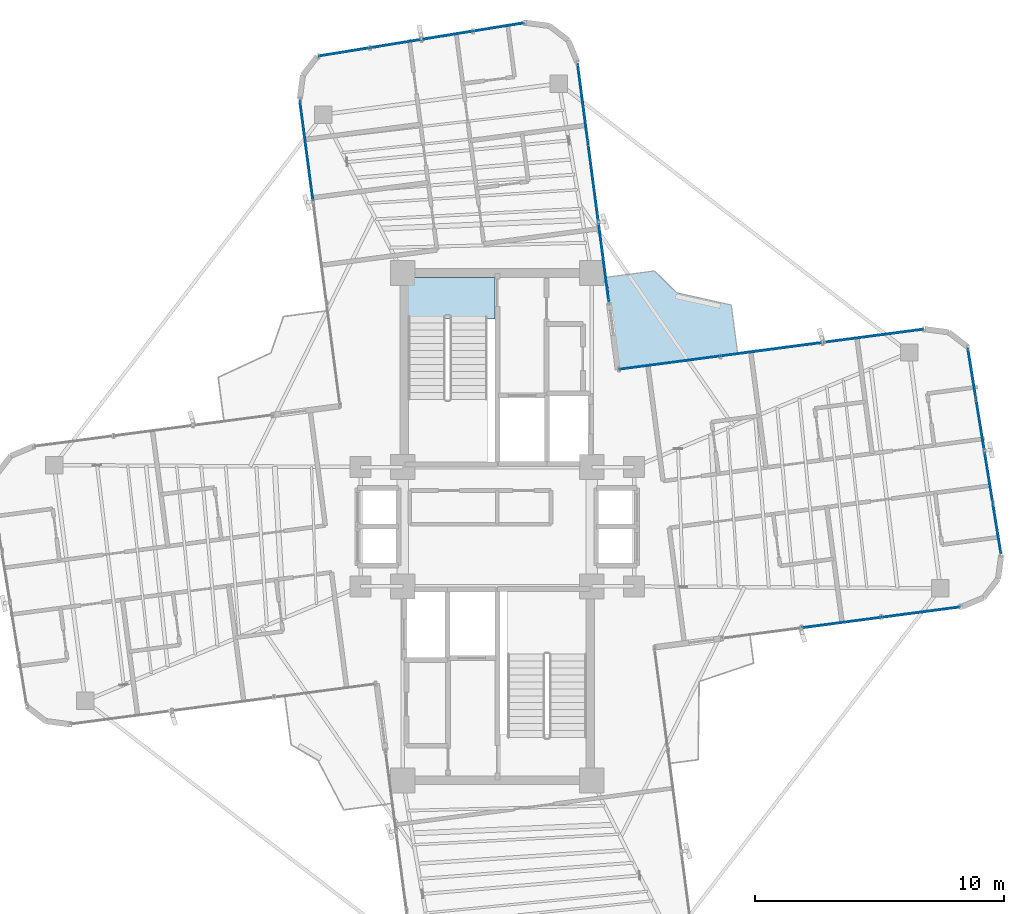
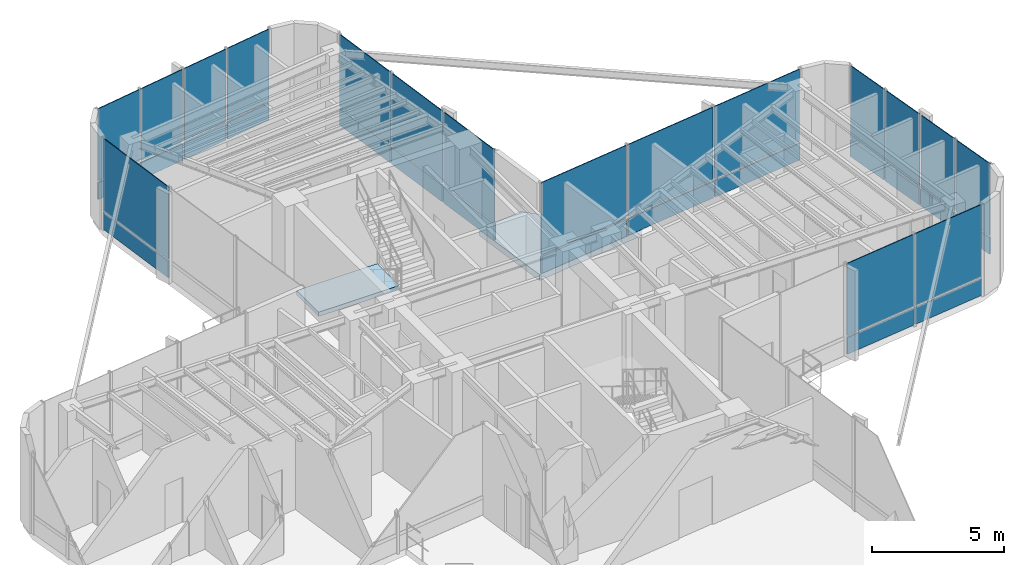
# One storey, part 14 of 20: 34 plates, 2 slabs, 6 elements without a shape of their own.
"""IFC4 building model written with IfcOpenShell, lengths in metres."""

from ifc_helpers import new_model, si_unit, direction, frame, origin, origin_2d, place, context, subcontext, project, spatial, polyline, rectangle, outline, extrude, source, transform, mapped, material, layer, layer_set, type_object, element, aggregate, save


model = new_model("IFC4")

# Units and contexts
model_context = context("Model", 3, precision=1e-05, world=origin(), true_north=direction((0.0, 1.0)))
body_context = subcontext(model_context, "Body", "Model", "MODEL_VIEW")
ifc_project = project(units=[si_unit("LENGTHUNIT", "METRE"), si_unit("AREAUNIT", "SQUARE_METRE"), si_unit("VOLUMEUNIT", "CUBIC_METRE"), si_unit("PLANEANGLEUNIT", "RADIAN"), si_unit("MASSUNIT", "GRAM", prefix="KILO")], contexts=[model_context])

# Site, building, storey
site_placement = place(None, origin())
site = spatial("IfcSite", under=ifc_project, at=site_placement, CompositionType="ELEMENT")
building_placement = place(site_placement, origin())
building = spatial("IfcBuilding", under=site, at=building_placement, Name="Sahyath Konkavel Grand Hotel", CompositionType="ELEMENT")
storey_placement = place(building_placement, frame((0.0, 0.0, 229.949951171875)))
storey = spatial("IfcBuildingStorey", under=building, at=storey_placement, Name="L64", CompositionType="ELEMENT", Elevation=229.949951171875)

# Slabs
ifc_material_1 = material(Name="Concrete C40/50", Category="concrete")
ifc_layer_1 = layer(ifc_material_1, 0.280029296875)
ifc_layer_set_1 = layer_set([ifc_layer_1], Name="Concrete C40/50")
slab_type_1 = type_object("IfcSlabType", Name="SLB-SKYGARDEN-280", PredefinedType="ROOF", material=ifc_layer_set_1)
slab_1_placement = place(storey_placement, frame((0.0, 0.0, -0.280029296875)))
element("IfcSlab", 1, at=slab_1_placement, inside=storey, type_object=slab_type_1, Name="L64 Planted Sky Garden Terrace NE", PredefinedType="ROOF", context=body_context, shape_type="SweptSolid", body=[
    extrude(outline(polyline([(4.849609375, 6.320068359375), (9.66796875, 6.954345703125), (9.409423828125, 8.91748046875), (7.217041015625, 9.405517578125), (6.324462890625, 10.28662109375), (4.361328125, 10.028076171875), (4.849609375, 6.320068359375)])), origin(), (0.0, 0.0, 1.0), 0.280029296875),
])
ifc_layer_2 = layer(ifc_material_1, 0.199951171875)
ifc_layer_set_2 = layer_set([ifc_layer_2], Name="Concrete C40/50")
slab_type_2 = type_object("IfcSlabType", Name="SLB-STAIR-LND", PredefinedType="LANDING", material=ifc_layer_set_2)
slab_2_placement = place(storey_placement, frame((0.0, 0.0, -0.199951171875)))
element("IfcSlab", 2, at=slab_2_placement, inside=storey, type_object=slab_type_2, Name="L64 Stair ST-1 Floor Landing Slab", PredefinedType="LANDING", context=body_context, shape_type="SweptSolid", body=[
    extrude(outline(polyline([(-3.6201171875, 8.35009765625), (-0.10009765625, 8.35009765625), (-0.10009765625, 10.02001953125), (-3.6201171875, 10.02001953125), (-3.6201171875, 8.35009765625)])), origin(), (0.0, 0.0, 1.0), 0.199951171875),
])

# Curtain wall, plates
ifc_material_2 = material(Name="Anodised Bronze Aluminium & Low-E Glazing", Category="aluminium")
curtain_wall_type = type_object("IfcCurtainWallType", Name="CW-SKYLOBBY", PredefinedType="NOTDEFINED", material=ifc_material_2)
curtain_wall_1_placement = place(storey_placement, origin())
curtain_wall_1 = element("IfcCurtainWall", 3, at=curtain_wall_1_placement, inside=storey, type_object=curtain_wall_type, Name="L64 Unitised Curtain Wall F0", PredefinedType="NOTDEFINED")
ifc_material_3 = material(Name="Warm Buff Sandstone Cladding", Category="masonry")
ifc_layer_3 = layer(ifc_material_3, 0.074951171875)
ifc_layer_set_3 = layer_set([ifc_layer_3], Name="Warm Buff Sandstone Cladding")
plate_type_1 = type_object("IfcPlateType", Name="PNL-SPANDREL-STONE", PredefinedType="SHEET", material=ifc_layer_set_3)
shared_shape_1 = source(origin(), body_context, "Body", "SweptSolid", [
    extrude(rectangle(XDim=3.14794921875, YDim=0.074951171875, at=origin_2d()), origin(), (0.0, 0.0, 1.0), 0.77001953125),
])
plate_1_placement = place(storey_placement, frame((13.837158203125, -3.85986328125, 0.0400390625), z_axis=(0.0, 0.0, 1.0), x_axis=(0.991444861374, 0.13052619222, 0.0)))
plate_1 = element("IfcPlate", 4, at=plate_1_placement, type_object=plate_type_1, Name="L64 Sandstone Relief Spandrel Panel F0-1", PredefinedType="SHEET", context=body_context, shape_type="MappedRepresentation", body=[
    mapped(shared_shape_1, transform((0.0, 0.0, 0.0), scale=1.0)),
])
plate_2_placement = place(storey_placement, frame((17.03759765625, -3.438720703125, 0.0400390625), z_axis=(0.0, 0.0, 1.0), x_axis=(0.991444861374, 0.13052619222, 0.0)))
plate_2 = element("IfcPlate", 5, at=plate_2_placement, type_object=plate_type_1, Name="L64 Sandstone Relief Spandrel Panel F0-2", PredefinedType="SHEET", context=body_context, shape_type="MappedRepresentation", body=[
    mapped(shared_shape_1, transform((0.0, 0.0, 0.0), scale=1.0)),
])

curtain_wall_2_placement = place(storey_placement, origin())
curtain_wall_2 = element("IfcCurtainWall", 6, at=curtain_wall_2_placement, inside=storey, type_object=curtain_wall_type, Name="L64 Unitised Curtain Wall F8", PredefinedType="NOTDEFINED")
plate_3_placement = place(storey_placement, frame((4.28125, 10.63671875, 0.0400390625), z_axis=(0.0, 0.0, 1.0), x_axis=(-0.13052619222, 0.991444861374, 0.0)))
plate_3 = element("IfcPlate", 7, at=plate_3_placement, type_object=plate_type_1, Name="L64 Sandstone Relief Spandrel Panel F8-0", PredefinedType="SHEET", context=body_context, shape_type="MappedRepresentation", body=[
    mapped(shared_shape_1, transform((0.0, 0.0, 0.0), scale=1.0)),
])
plate_4_placement = place(storey_placement, frame((3.85986328125, 13.837158203125, 0.0400390625), z_axis=(0.0, 0.0, 1.0), x_axis=(-0.13052619222, 0.991444861374, 0.0)))
plate_4 = element("IfcPlate", 8, at=plate_4_placement, type_object=plate_type_1, Name="L64 Sandstone Relief Spandrel Panel F8-1", PredefinedType="SHEET", context=body_context, shape_type="MappedRepresentation", body=[
    mapped(shared_shape_1, transform((0.0, 0.0, 0.0), scale=1.0)),
])
plate_5_placement = place(storey_placement, frame((3.438720703125, 17.03759765625, 0.0400390625), z_axis=(0.0, 0.0, 1.0), x_axis=(-0.13052619222, 0.991444861374, 0.0)))
plate_5 = element("IfcPlate", 9, at=plate_5_placement, type_object=plate_type_1, Name="L64 Sandstone Relief Spandrel Panel F8-2", PredefinedType="SHEET", context=body_context, shape_type="MappedRepresentation", body=[
    mapped(shared_shape_1, transform((0.0, 0.0, 0.0), scale=1.0)),
])

# Plate
ifc_material_4 = material(Name="Low-E Solar Control Double Glazing", Category="glass")
ifc_layer_4 = layer(ifc_material_4, 0.035888671875)
ifc_layer_set_4 = layer_set([ifc_layer_4], Name="Low-E Solar Control Double Glazing")
plate_type_2 = type_object("IfcPlateType", Name="PNL-VISION-LOWE", PredefinedType="CURTAIN_PANEL", material=ifc_layer_set_4)
shared_shape_2 = source(origin(), body_context, "Body", "SweptSolid", [
    extrude(rectangle(XDim=3.14794921875, YDim=0.035888671875, at=origin_2d()), origin(), (0.0, 0.0, 1.0), 3.330078125),
])
plate_6_placement = place(storey_placement, frame((13.837158203125, -3.85986328125, 0.889892578125), z_axis=(0.0, 0.0, 1.0), x_axis=(0.991444861374, 0.13052619222, 0.0)))
plate_6 = element("IfcPlate", 10, at=plate_6_placement, type_object=plate_type_2, Name="L64 Low-E Vision Glazing Panel F0-1", PredefinedType="CURTAIN_PANEL", context=body_context, shape_type="MappedRepresentation", body=[
    mapped(shared_shape_2, transform((0.0, 0.0, 0.0), scale=1.0)),
])

plate_7_placement = place(storey_placement, frame((17.03759765625, -3.438720703125, 0.889892578125), z_axis=(0.0, 0.0, 1.0), x_axis=(0.991444861374, 0.13052619222, 0.0)))
plate_7 = element("IfcPlate", 11, at=plate_7_placement, type_object=plate_type_2, Name="L64 Low-E Vision Glazing Panel F0-2", PredefinedType="CURTAIN_PANEL", context=body_context, shape_type="MappedRepresentation", body=[
    mapped(shared_shape_2, transform((0.0, 0.0, 0.0), scale=1.0)),
])

aggregate(curtain_wall_1, [plate_1, plate_6, plate_2, plate_7])

plate_8_placement = place(storey_placement, frame((4.28125, 10.63671875, 0.889892578125), z_axis=(0.0, 0.0, 1.0), x_axis=(-0.13052619222, 0.991444861374, 0.0)))
plate_8 = element("IfcPlate", 12, at=plate_8_placement, type_object=plate_type_2, Name="L64 Low-E Vision Glazing Panel F8-0", PredefinedType="CURTAIN_PANEL", context=body_context, shape_type="MappedRepresentation", body=[
    mapped(shared_shape_2, transform((0.0, 0.0, 0.0), scale=1.0)),
])

plate_9_placement = place(storey_placement, frame((3.85986328125, 13.837158203125, 0.889892578125), z_axis=(0.0, 0.0, 1.0), x_axis=(-0.13052619222, 0.991444861374, 0.0)))
plate_9 = element("IfcPlate", 13, at=plate_9_placement, type_object=plate_type_2, Name="L64 Low-E Vision Glazing Panel F8-1", PredefinedType="CURTAIN_PANEL", context=body_context, shape_type="MappedRepresentation", body=[
    mapped(shared_shape_2, transform((0.0, 0.0, 0.0), scale=1.0)),
])

plate_10_placement = place(storey_placement, frame((3.438720703125, 17.03759765625, 0.889892578125), z_axis=(0.0, 0.0, 1.0), x_axis=(-0.13052619222, 0.991444861374, 0.0)))
plate_10 = element("IfcPlate", 14, at=plate_10_placement, type_object=plate_type_2, Name="L64 Low-E Vision Glazing Panel F8-2", PredefinedType="CURTAIN_PANEL", context=body_context, shape_type="MappedRepresentation", body=[
    mapped(shared_shape_2, transform((0.0, 0.0, 0.0), scale=1.0)),
])

aggregate(curtain_wall_2, [plate_3, plate_8, plate_4, plate_9, plate_5, plate_10])

# Curtain wall, plates
curtain_wall_3_placement = place(storey_placement, origin())
curtain_wall_3 = element("IfcCurtainWall", 15, at=curtain_wall_3_placement, inside=storey, type_object=curtain_wall_type, Name="L64 Unitised Curtain Wall F4", PredefinedType="NOTDEFINED")
shared_shape_3 = source(origin(), body_context, "Body", "SweptSolid", [
    extrude(rectangle(XDim=2.023681640625, YDim=0.074951171875, at=origin_2d()), origin(), (0.0, 0.0, 1.0), 0.77001953125),
])
plate_11_placement = place(storey_placement, frame((20.095947265625, -0.069091796875, 0.0400390625), z_axis=(0.0, 0.0, 1.0), x_axis=(-0.159398762836, 0.987214279884, 0.0)))
plate_11 = element("IfcPlate", 16, at=plate_11_placement, type_object=plate_type_1, Name="L64 Sandstone Relief Spandrel Panel F4-0", PredefinedType="SHEET", context=body_context, shape_type="MappedRepresentation", body=[
    mapped(shared_shape_3, transform((0.0, 0.0, 0.0), scale=1.0)),
])
plate_12_placement = place(storey_placement, frame((19.7607421875, 2.007568359375, 0.0400390625), z_axis=(0.0, 0.0, 1.0), x_axis=(-0.159398762836, 0.987214279884, 0.0)))
plate_12 = element("IfcPlate", 17, at=plate_12_placement, type_object=plate_type_1, Name="L64 Sandstone Relief Spandrel Panel F4-1", PredefinedType="SHEET", context=body_context, shape_type="MappedRepresentation", body=[
    mapped(shared_shape_3, transform((0.0, 0.0, 0.0), scale=1.0)),
])
plate_13_placement = place(storey_placement, frame((19.42529296875, 4.08447265625, 0.0400390625), z_axis=(0.0, 0.0, 1.0), x_axis=(-0.159398762836, 0.987214279884, 0.0)))
plate_13 = element("IfcPlate", 18, at=plate_13_placement, type_object=plate_type_1, Name="L64 Sandstone Relief Spandrel Panel F4-2", PredefinedType="SHEET", context=body_context, shape_type="MappedRepresentation", body=[
    mapped(shared_shape_3, transform((0.0, 0.0, 0.0), scale=1.0)),
])
plate_14_placement = place(storey_placement, frame((19.090087890625, 6.1611328125, 0.0400390625), z_axis=(0.0, 0.0, 1.0), x_axis=(-0.159398762836, 0.987214279884, 0.0)))
plate_14 = element("IfcPlate", 19, at=plate_14_placement, type_object=plate_type_1, Name="L64 Sandstone Relief Spandrel Panel F4-3", PredefinedType="SHEET", context=body_context, shape_type="MappedRepresentation", body=[
    mapped(shared_shape_3, transform((0.0, 0.0, 0.0), scale=1.0)),
])

curtain_wall_4_placement = place(storey_placement, origin())
curtain_wall_4 = element("IfcCurtainWall", 20, at=curtain_wall_4_placement, inside=storey, type_object=curtain_wall_type, Name="L64 Unitised Curtain Wall F12", PredefinedType="NOTDEFINED")
plate_15_placement = place(storey_placement, frame((0.069091796875, 20.095947265625, 0.0400390625), z_axis=(0.0, 0.0, 1.0), x_axis=(-0.987214279884, -0.159398762836, 0.0)))
plate_15 = element("IfcPlate", 21, at=plate_15_placement, type_object=plate_type_1, Name="L64 Sandstone Relief Spandrel Panel F12-0", PredefinedType="SHEET", context=body_context, shape_type="MappedRepresentation", body=[
    mapped(shared_shape_3, transform((0.0, 0.0, 0.0), scale=1.0)),
])
plate_16_placement = place(storey_placement, frame((-2.007568359375, 19.7607421875, 0.0400390625), z_axis=(0.0, 0.0, 1.0), x_axis=(-0.987214279884, -0.159398762836, 0.0)))
plate_16 = element("IfcPlate", 22, at=plate_16_placement, type_object=plate_type_1, Name="L64 Sandstone Relief Spandrel Panel F12-1", PredefinedType="SHEET", context=body_context, shape_type="MappedRepresentation", body=[
    mapped(shared_shape_3, transform((0.0, 0.0, 0.0), scale=1.0)),
])
plate_17_placement = place(storey_placement, frame((-4.08447265625, 19.42529296875, 0.0400390625), z_axis=(0.0, 0.0, 1.0), x_axis=(-0.987214279884, -0.159398762836, 0.0)))
plate_17 = element("IfcPlate", 23, at=plate_17_placement, type_object=plate_type_1, Name="L64 Sandstone Relief Spandrel Panel F12-2", PredefinedType="SHEET", context=body_context, shape_type="MappedRepresentation", body=[
    mapped(shared_shape_3, transform((0.0, 0.0, 0.0), scale=1.0)),
])
plate_18_placement = place(storey_placement, frame((-6.1611328125, 19.090087890625, 0.0400390625), z_axis=(0.0, 0.0, 1.0), x_axis=(-0.987214279884, -0.159398762836, 0.0)))
plate_18 = element("IfcPlate", 24, at=plate_18_placement, type_object=plate_type_1, Name="L64 Sandstone Relief Spandrel Panel F12-3", PredefinedType="SHEET", context=body_context, shape_type="MappedRepresentation", body=[
    mapped(shared_shape_3, transform((0.0, 0.0, 0.0), scale=1.0)),
])

# Plate
shared_shape_4 = source(origin(), body_context, "Body", "SweptSolid", [
    extrude(rectangle(XDim=2.023681640625, YDim=0.035888671875, at=origin_2d()), origin(), (0.0, 0.0, 1.0), 3.330078125),
])
plate_19_placement = place(storey_placement, frame((20.095947265625, -0.069091796875, 0.889892578125), z_axis=(0.0, 0.0, 1.0), x_axis=(-0.159398762836, 0.987214279884, 0.0)))
plate_19 = element("IfcPlate", 25, at=plate_19_placement, type_object=plate_type_2, Name="L64 Low-E Vision Glazing Panel F4-0", PredefinedType="CURTAIN_PANEL", context=body_context, shape_type="MappedRepresentation", body=[
    mapped(shared_shape_4, transform((0.0, 0.0, 0.0), scale=1.0)),
])

plate_20_placement = place(storey_placement, frame((19.7607421875, 2.007568359375, 0.889892578125), z_axis=(0.0, 0.0, 1.0), x_axis=(-0.159398762836, 0.987214279884, 0.0)))
plate_20 = element("IfcPlate", 26, at=plate_20_placement, type_object=plate_type_2, Name="L64 Low-E Vision Glazing Panel F4-1", PredefinedType="CURTAIN_PANEL", context=body_context, shape_type="MappedRepresentation", body=[
    mapped(shared_shape_4, transform((0.0, 0.0, 0.0), scale=1.0)),
])

plate_21_placement = place(storey_placement, frame((19.42529296875, 4.08447265625, 0.889892578125), z_axis=(0.0, 0.0, 1.0), x_axis=(-0.159398762836, 0.987214279884, 0.0)))
plate_21 = element("IfcPlate", 27, at=plate_21_placement, type_object=plate_type_2, Name="L64 Low-E Vision Glazing Panel F4-2", PredefinedType="CURTAIN_PANEL", context=body_context, shape_type="MappedRepresentation", body=[
    mapped(shared_shape_4, transform((0.0, 0.0, 0.0), scale=1.0)),
])

plate_22_placement = place(storey_placement, frame((19.090087890625, 6.1611328125, 0.889892578125), z_axis=(0.0, 0.0, 1.0), x_axis=(-0.159398762836, 0.987214279884, 0.0)))
plate_22 = element("IfcPlate", 28, at=plate_22_placement, type_object=plate_type_2, Name="L64 Low-E Vision Glazing Panel F4-3", PredefinedType="CURTAIN_PANEL", context=body_context, shape_type="MappedRepresentation", body=[
    mapped(shared_shape_4, transform((0.0, 0.0, 0.0), scale=1.0)),
])

aggregate(curtain_wall_3, [plate_11, plate_19, plate_12, plate_20, plate_13, plate_21, plate_14, plate_22])

plate_23_placement = place(storey_placement, frame((0.069091796875, 20.095947265625, 0.889892578125), z_axis=(0.0, 0.0, 1.0), x_axis=(-0.987214279884, -0.159398762836, 0.0)))
plate_23 = element("IfcPlate", 29, at=plate_23_placement, type_object=plate_type_2, Name="L64 Low-E Vision Glazing Panel F12-0", PredefinedType="CURTAIN_PANEL", context=body_context, shape_type="MappedRepresentation", body=[
    mapped(shared_shape_4, transform((0.0, 0.0, 0.0), scale=1.0)),
])

plate_24_placement = place(storey_placement, frame((-2.007568359375, 19.7607421875, 0.889892578125), z_axis=(0.0, 0.0, 1.0), x_axis=(-0.987214279884, -0.159398762836, 0.0)))
plate_24 = element("IfcPlate", 30, at=plate_24_placement, type_object=plate_type_2, Name="L64 Low-E Vision Glazing Panel F12-1", PredefinedType="CURTAIN_PANEL", context=body_context, shape_type="MappedRepresentation", body=[
    mapped(shared_shape_4, transform((0.0, 0.0, 0.0), scale=1.0)),
])

plate_25_placement = place(storey_placement, frame((-4.08447265625, 19.42529296875, 0.889892578125), z_axis=(0.0, 0.0, 1.0), x_axis=(-0.987214279884, -0.159398762836, 0.0)))
plate_25 = element("IfcPlate", 31, at=plate_25_placement, type_object=plate_type_2, Name="L64 Low-E Vision Glazing Panel F12-2", PredefinedType="CURTAIN_PANEL", context=body_context, shape_type="MappedRepresentation", body=[
    mapped(shared_shape_4, transform((0.0, 0.0, 0.0), scale=1.0)),
])

plate_26_placement = place(storey_placement, frame((-6.1611328125, 19.090087890625, 0.889892578125), z_axis=(0.0, 0.0, 1.0), x_axis=(-0.987214279884, -0.159398762836, 0.0)))
plate_26 = element("IfcPlate", 32, at=plate_26_placement, type_object=plate_type_2, Name="L64 Low-E Vision Glazing Panel F12-3", PredefinedType="CURTAIN_PANEL", context=body_context, shape_type="MappedRepresentation", body=[
    mapped(shared_shape_4, transform((0.0, 0.0, 0.0), scale=1.0)),
])

aggregate(curtain_wall_4, [plate_15, plate_23, plate_16, plate_24, plate_17, plate_25, plate_18, plate_26])

# Curtain wall, plates
curtain_wall_5_placement = place(storey_placement, origin())
curtain_wall_5 = element("IfcCurtainWall", 33, at=curtain_wall_5_placement, inside=storey, type_object=curtain_wall_type, Name="L64 Unitised Curtain Wall F7", PredefinedType="NOTDEFINED")
shared_shape_5 = source(origin(), body_context, "Body", "SweptSolid", [
    extrude(rectangle(XDim=4.048095703125, YDim=0.074951171875, at=origin_2d()), origin(), (0.0, 0.0, 1.0), 0.77001953125),
])
plate_27_placement = place(storey_placement, frame((15.120849609375, 7.67236328125, 0.0400390625), z_axis=(0.0, 0.0, 1.0), x_axis=(-0.991444861374, -0.13052619222, 0.0)))
plate_27 = element("IfcPlate", 34, at=plate_27_placement, type_object=plate_type_1, Name="L64 Sandstone Relief Spandrel Panel F7-0", PredefinedType="SHEET", context=body_context, shape_type="MappedRepresentation", body=[
    mapped(shared_shape_5, transform((0.0, 0.0, 0.0), scale=1.0)),
])
plate_28_placement = place(storey_placement, frame((11.0283203125, 7.133544921875, 0.0400390625), z_axis=(0.0, 0.0, 1.0), x_axis=(-0.991444861374, -0.13052619222, 0.0)))
plate_28 = element("IfcPlate", 35, at=plate_28_placement, type_object=plate_type_1, Name="L64 Sandstone Relief Spandrel Panel F7-1", PredefinedType="SHEET", context=body_context, shape_type="MappedRepresentation", body=[
    mapped(shared_shape_5, transform((0.0, 0.0, 0.0), scale=1.0)),
])
plate_29_placement = place(storey_placement, frame((6.935546875, 6.5947265625, 0.0400390625), z_axis=(0.0, 0.0, 1.0), x_axis=(-0.991444861374, -0.13052619222, 0.0)))
plate_29 = element("IfcPlate", 36, at=plate_29_placement, type_object=plate_type_1, Name="L64 Sandstone Relief Spandrel Panel F7-2", PredefinedType="SHEET", context=body_context, shape_type="MappedRepresentation", body=[
    mapped(shared_shape_5, transform((0.0, 0.0, 0.0), scale=1.0)),
])

# Curtain wall, plate
curtain_wall_6_placement = place(storey_placement, origin())
curtain_wall_6 = element("IfcCurtainWall", 37, at=curtain_wall_6_placement, inside=storey, type_object=curtain_wall_type, Name="L64 Unitised Curtain Wall F15", PredefinedType="NOTDEFINED")
plate_30_placement = place(storey_placement, frame((-7.67236328125, 15.120849609375, 0.0400390625), z_axis=(0.0, 0.0, 1.0), x_axis=(0.13052619222, -0.991444861374, 0.0)))
plate_30 = element("IfcPlate", 38, at=plate_30_placement, type_object=plate_type_1, Name="L64 Sandstone Relief Spandrel Panel F15-0", PredefinedType="SHEET", context=body_context, shape_type="MappedRepresentation", body=[
    mapped(shared_shape_5, transform((0.0, 0.0, 0.0), scale=1.0)),
])

# Plate
shared_shape_6 = source(origin(), body_context, "Body", "SweptSolid", [
    extrude(rectangle(XDim=4.048095703125, YDim=0.035888671875, at=origin_2d()), origin(), (0.0, 0.0, 1.0), 3.330078125),
])
plate_31_placement = place(storey_placement, frame((15.120849609375, 7.67236328125, 0.889892578125), z_axis=(0.0, 0.0, 1.0), x_axis=(-0.991444861374, -0.13052619222, 0.0)))
plate_31 = element("IfcPlate", 39, at=plate_31_placement, type_object=plate_type_2, Name="L64 Low-E Vision Glazing Panel F7-0", PredefinedType="CURTAIN_PANEL", context=body_context, shape_type="MappedRepresentation", body=[
    mapped(shared_shape_6, transform((0.0, 0.0, 0.0), scale=1.0)),
])

plate_32_placement = place(storey_placement, frame((11.0283203125, 7.133544921875, 0.889892578125), z_axis=(0.0, 0.0, 1.0), x_axis=(-0.991444861374, -0.13052619222, 0.0)))
plate_32 = element("IfcPlate", 40, at=plate_32_placement, type_object=plate_type_2, Name="L64 Low-E Vision Glazing Panel F7-1", PredefinedType="CURTAIN_PANEL", context=body_context, shape_type="MappedRepresentation", body=[
    mapped(shared_shape_6, transform((0.0, 0.0, 0.0), scale=1.0)),
])

plate_33_placement = place(storey_placement, frame((6.935546875, 6.5947265625, 0.889892578125), z_axis=(0.0, 0.0, 1.0), x_axis=(-0.991444861374, -0.13052619222, 0.0)))
plate_33 = element("IfcPlate", 41, at=plate_33_placement, type_object=plate_type_2, Name="L64 Low-E Vision Glazing Panel F7-2", PredefinedType="CURTAIN_PANEL", context=body_context, shape_type="MappedRepresentation", body=[
    mapped(shared_shape_6, transform((0.0, 0.0, 0.0), scale=1.0)),
])

aggregate(curtain_wall_5, [plate_27, plate_31, plate_28, plate_32, plate_29, plate_33])

plate_34_placement = place(storey_placement, frame((-7.67236328125, 15.120849609375, 0.889892578125), z_axis=(0.0, 0.0, 1.0), x_axis=(0.13052619222, -0.991444861374, 0.0)))
plate_34 = element("IfcPlate", 42, at=plate_34_placement, type_object=plate_type_2, Name="L64 Low-E Vision Glazing Panel F15-0", PredefinedType="CURTAIN_PANEL", context=body_context, shape_type="MappedRepresentation", body=[
    mapped(shared_shape_6, transform((0.0, 0.0, 0.0), scale=1.0)),
])

aggregate(curtain_wall_6, [plate_30, plate_34])

save(model, "model.ifc")
